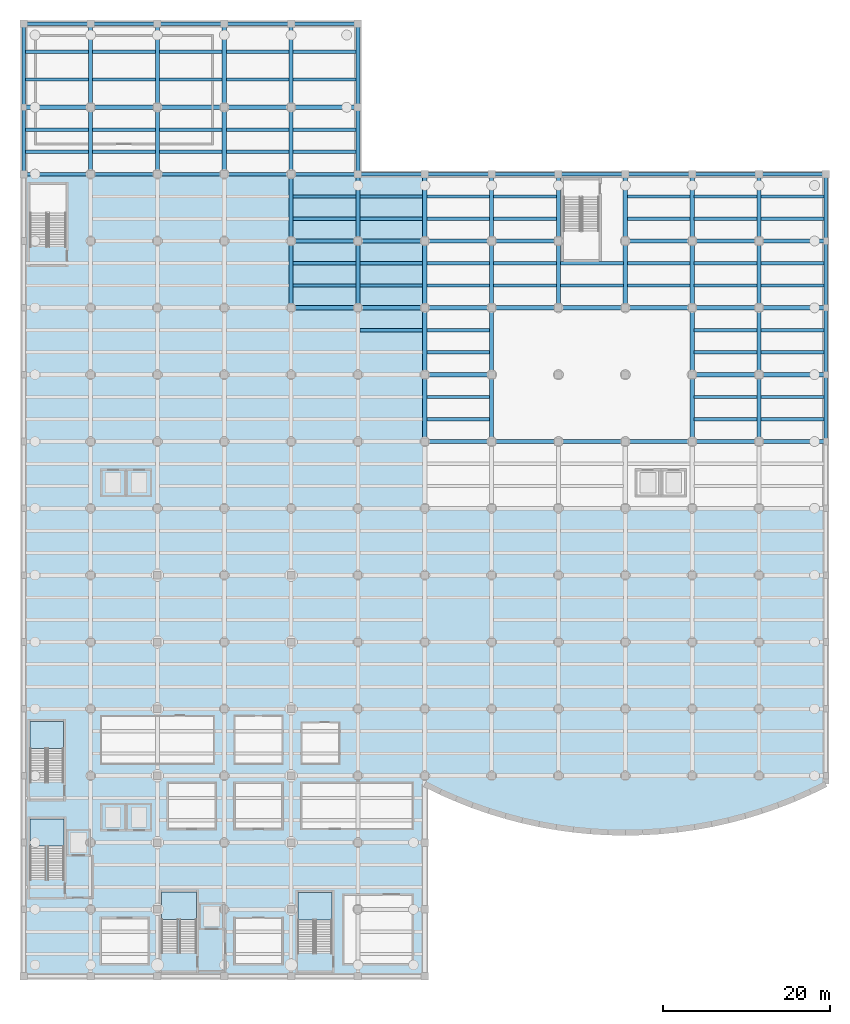
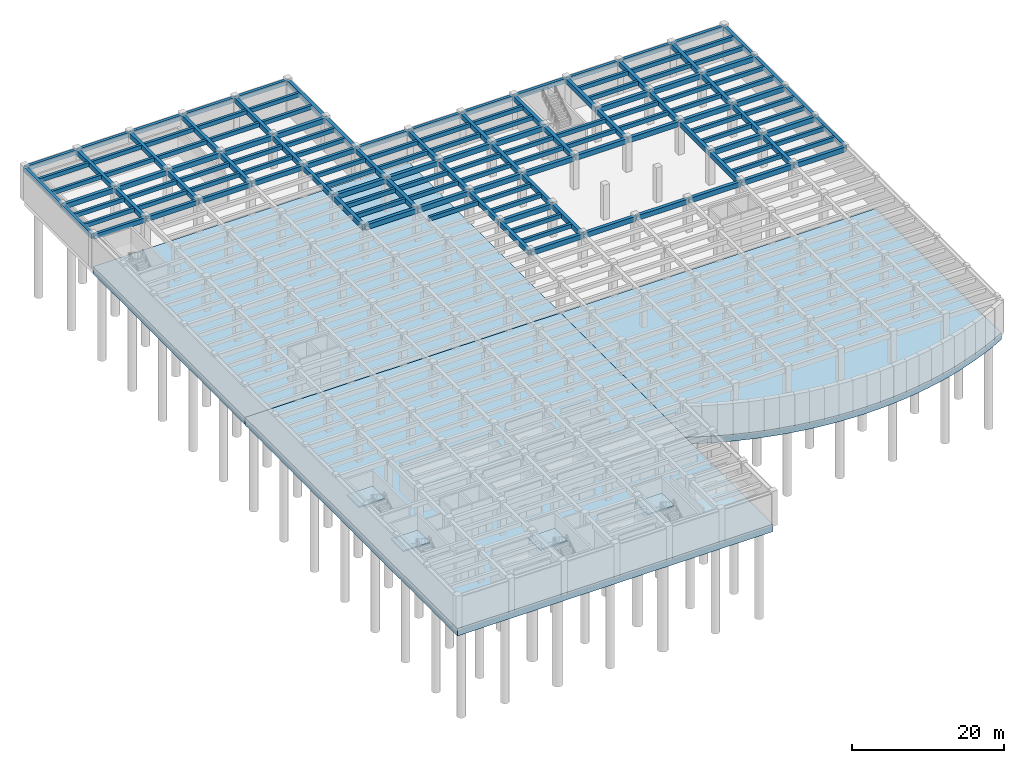
# One storey, part 4 of 18: 149 beams, 7 slabs, 4 elements without a shape of their own.
"""IFC4 building model written with IfcOpenShell, lengths in metres."""

from ifc_helpers import new_model, si_unit, direction, frame, origin, origin_2d, place, context, subcontext, project, spatial, polyline, rectangle, outline, extrude, material, layer, layer_set, material_profile, profile_set, type_object, element, aggregate, save


model = new_model("IFC4")

# Units and contexts
model_context = context("Model", 3, precision=1e-05, world=origin(), true_north=direction((0.0, 1.0)))
body_context = subcontext(model_context, "Body", "Model", "MODEL_VIEW")
ifc_project = project(units=[si_unit("LENGTHUNIT", "METRE"), si_unit("AREAUNIT", "SQUARE_METRE"), si_unit("VOLUMEUNIT", "CUBIC_METRE"), si_unit("PLANEANGLEUNIT", "RADIAN"), si_unit("MASSUNIT", "GRAM", prefix="KILO")], contexts=[model_context])

# Site, building, storey
site_placement = place(None, origin())
site = spatial("IfcSite", under=ifc_project, at=site_placement, CompositionType="ELEMENT")
building_placement = place(site_placement, origin())
building = spatial("IfcBuilding", under=site, at=building_placement, Name="Drelvath Fold Interchange", CompositionType="ELEMENT")
storey_placement = place(building_placement, frame((0.0, 0.0, -11.199951171875)))
storey = spatial("IfcBuildingStorey", under=building, at=storey_placement, Name="B2", CompositionType="ELEMENT", Elevation=-11.199951171875)

# Beams
ifc_material_1 = material(Name="Concrete f'c 45 MPa (6500 psi)", Category="concrete")
ifc_material_profile_1 = material_profile(ifc_material_1, rectangle(XDim=0.39990234375, YDim=0.64990234375, at=origin_2d()), Name="RC 400x650")
ifc_profile_set_1 = profile_set([ifc_material_profile_1], Name="Concrete f'c 45 MPa (6500 psi)")
beam_type_1 = type_object("IfcBeamType", Name="BM-RC400", PredefinedType="JOIST", material=ifc_profile_set_1)
for number, where, z_axis, x_axis, name in (
    (1, (4.222900390625, 101.6669921875, 4.9150390625), (1.0, 0.0, 0.0), (0.0, 1.0, 0.0), "B2 Secondary floor joist BM-RC400"),
    (2, (4.222900390625, 104.3330078125, 4.9150390625), (1.0, 0.0, 0.0), (0.0, 1.0, 0.0), "B2 Secondary floor joist BM-RC400"),
    (3, (4.222900390625, 110.3330078125, 4.9150390625), (1.0, 0.0, 0.0), (0.0, 1.0, 0.0), "B2 Secondary floor joist BM-RC400"),
    (4, (4.222900390625, 113.6669921875, 4.9150390625), (1.0, 0.0, 0.0), (0.0, 1.0, 0.0), "B2 Secondary floor joist BM-RC400"),
):
    element("IfcBeam", number, at=place(storey_placement, frame(where, z_axis=z_axis, x_axis=x_axis)), inside=storey, type_object=beam_type_1, Name=name, PredefinedType="JOIST", context=body_context, shape_type="SweptSolid", body=[
        extrude(rectangle(XDim=0.39990234375, YDim=0.64990234375, at=origin_2d()), origin(), (0.0, 0.0, 1.0), 7.529052734375),
    ])
for number, where, z_axis, x_axis, name in (
    (5, (12.248046875, 101.6669921875, 4.9150390625), (1.0, 0.0, 0.0), (0.0, 1.0, 0.0), "B2 Secondary floor joist BM-RC400"),
    (6, (12.248046875, 104.3330078125, 4.9150390625), (1.0, 0.0, 0.0), (0.0, 1.0, 0.0), "B2 Secondary floor joist BM-RC400"),
    (7, (12.248046875, 110.3330078125, 4.9150390625), (1.0, 0.0, 0.0), (0.0, 1.0, 0.0), "B2 Secondary floor joist BM-RC400"),
    (8, (12.248046875, 113.6669921875, 4.9150390625), (1.0, 0.0, 0.0), (0.0, 1.0, 0.0), "B2 Secondary floor joist BM-RC400"),
    (9, (20.248046875, 101.6669921875, 4.9150390625), (1.0, 0.0, 0.0), (0.0, 1.0, 0.0), "B2 Secondary floor joist BM-RC400"),
    (10, (20.248046875, 104.3330078125, 4.9150390625), (1.0, 0.0, 0.0), (0.0, 1.0, 0.0), "B2 Secondary floor joist BM-RC400"),
    (11, (20.248046875, 110.3330078125, 4.9150390625), (1.0, 0.0, 0.0), (0.0, 1.0, 0.0), "B2 Secondary floor joist BM-RC400"),
    (12, (20.248046875, 113.6669921875, 4.9150390625), (1.0, 0.0, 0.0), (0.0, 1.0, 0.0), "B2 Secondary floor joist BM-RC400"),
    (13, (28.248046875, 101.6669921875, 4.9150390625), (1.0, 0.0, 0.0), (0.0, 1.0, 0.0), "B2 Secondary floor joist BM-RC400"),
    (14, (28.248046875, 104.3330078125, 4.9150390625), (1.0, 0.0, 0.0), (0.0, 1.0, 0.0), "B2 Secondary floor joist BM-RC400"),
    (15, (28.248046875, 110.3330078125, 4.9150390625), (1.0, 0.0, 0.0), (0.0, 1.0, 0.0), "B2 Secondary floor joist BM-RC400"),
    (16, (28.248046875, 113.6669921875, 4.9150390625), (1.0, 0.0, 0.0), (0.0, 1.0, 0.0), "B2 Secondary floor joist BM-RC400"),
    (17, (36.248046875, 85.6669921875, 4.9150390625), (1.0, 0.0, 0.0), (0.0, 1.0, 0.0), "B2 Secondary floor joist BM-RC400"),
    (18, (36.248046875, 88.3330078125, 4.9150390625), (1.0, 0.0, 0.0), (0.0, 1.0, 0.0), "B2 Secondary floor joist BM-RC400"),
    (19, (36.248046875, 93.6669921875, 4.9150390625), (1.0, 0.0, 0.0), (0.0, 1.0, 0.0), "B2 Secondary floor joist BM-RC400"),
    (20, (36.248046875, 96.3330078125, 4.9150390625), (1.0, 0.0, 0.0), (0.0, 1.0, 0.0), "B2 Secondary floor joist BM-RC400"),
    (21, (36.248046875, 101.6669921875, 4.9150390625), (1.0, 0.0, 0.0), (0.0, 1.0, 0.0), "B2 Secondary floor joist BM-RC400"),
    (22, (36.248046875, 104.3330078125, 4.9150390625), (1.0, 0.0, 0.0), (0.0, 1.0, 0.0), "B2 Secondary floor joist BM-RC400"),
    (23, (36.248046875, 110.3330078125, 4.9150390625), (1.0, 0.0, 0.0), (0.0, 1.0, 0.0), "B2 Secondary floor joist BM-RC400"),
    (24, (36.248046875, 113.6669921875, 4.9150390625), (1.0, 0.0, 0.0), (0.0, 1.0, 0.0), "B2 Secondary floor joist BM-RC400"),
    (25, (44.248046875, 80.3330078125, 4.9150390625), (1.0, 0.0, 0.0), (0.0, 1.0, 0.0), "B2 Secondary floor joist BM-RC400"),
    (26, (44.248046875, 85.6669921875, 4.9150390625), (1.0, 0.0, 0.0), (0.0, 1.0, 0.0), "B2 Secondary floor joist BM-RC400"),
    (27, (44.248046875, 88.3330078125, 4.9150390625), (1.0, 0.0, 0.0), (0.0, 1.0, 0.0), "B2 Secondary floor joist BM-RC400"),
    (28, (44.248046875, 93.6669921875, 4.9150390625), (1.0, 0.0, 0.0), (0.0, 1.0, 0.0), "B2 Secondary floor joist BM-RC400"),
    (29, (44.248046875, 96.3330078125, 4.9150390625), (1.0, 0.0, 0.0), (0.0, 1.0, 0.0), "B2 Secondary floor joist BM-RC400"),
    (30, (52.248046875, 69.6669921875, 4.9150390625), (1.0, 0.0, 0.0), (0.0, 1.0, 0.0), "B2 Secondary floor joist BM-RC400"),
    (31, (52.248046875, 72.3330078125, 4.9150390625), (1.0, 0.0, 0.0), (0.0, 1.0, 0.0), "B2 Secondary floor joist BM-RC400"),
    (32, (52.248046875, 77.6669921875, 4.9150390625), (1.0, 0.0, 0.0), (0.0, 1.0, 0.0), "B2 Secondary floor joist BM-RC400"),
    (33, (52.248046875, 80.3330078125, 4.9150390625), (1.0, 0.0, 0.0), (0.0, 1.0, 0.0), "B2 Secondary floor joist BM-RC400"),
    (34, (52.248046875, 85.6669921875, 4.9150390625), (1.0, 0.0, 0.0), (0.0, 1.0, 0.0), "B2 Secondary floor joist BM-RC400"),
    (35, (52.248046875, 88.3330078125, 4.9150390625), (1.0, 0.0, 0.0), (0.0, 1.0, 0.0), "B2 Secondary floor joist BM-RC400"),
    (36, (52.248046875, 93.6669921875, 4.9150390625), (1.0, 0.0, 0.0), (0.0, 1.0, 0.0), "B2 Secondary floor joist BM-RC400"),
    (37, (52.248046875, 96.3330078125, 4.9150390625), (1.0, 0.0, 0.0), (0.0, 1.0, 0.0), "B2 Secondary floor joist BM-RC400"),
    (38, (60.248046875, 85.6669921875, 4.9150390625), (1.0, 0.0, 0.0), (0.0, 1.0, 0.0), "B2 Secondary floor joist BM-RC400"),
    (39, (60.248046875, 88.3330078125, 4.9150390625), (1.0, 0.0, 0.0), (0.0, 1.0, 0.0), "B2 Secondary floor joist BM-RC400"),
    (40, (60.248046875, 93.6669921875, 4.9150390625), (1.0, 0.0, 0.0), (0.0, 1.0, 0.0), "B2 Secondary floor joist BM-RC400"),
    (41, (60.248046875, 96.3330078125, 4.9150390625), (1.0, 0.0, 0.0), (0.0, 1.0, 0.0), "B2 Secondary floor joist BM-RC400"),
    (42, (68.248046875, 85.6669921875, 4.9150390625), (1.0, 0.0, 0.0), (0.0, 1.0, 0.0), "B2 Secondary floor joist BM-RC400"),
    (43, (68.248046875, 88.3330078125, 4.9150390625), (1.0, 0.0, 0.0), (0.0, 1.0, 0.0), "B2 Secondary floor joist BM-RC400"),
    (44, (76.248046875, 85.6669921875, 4.9150390625), (1.0, 0.0, 0.0), (0.0, 1.0, 0.0), "B2 Secondary floor joist BM-RC400"),
    (45, (76.248046875, 88.3330078125, 4.9150390625), (1.0, 0.0, 0.0), (0.0, 1.0, 0.0), "B2 Secondary floor joist BM-RC400"),
    (46, (76.248046875, 93.6669921875, 4.9150390625), (1.0, 0.0, 0.0), (0.0, 1.0, 0.0), "B2 Secondary floor joist BM-RC400"),
    (47, (76.248046875, 96.3330078125, 4.9150390625), (1.0, 0.0, 0.0), (0.0, 1.0, 0.0), "B2 Secondary floor joist BM-RC400"),
    (48, (84.248046875, 69.6669921875, 4.9150390625), (1.0, 0.0, 0.0), (0.0, 1.0, 0.0), "B2 Secondary floor joist BM-RC400"),
    (49, (84.248046875, 72.3330078125, 4.9150390625), (1.0, 0.0, 0.0), (0.0, 1.0, 0.0), "B2 Secondary floor joist BM-RC400"),
    (50, (84.248046875, 77.6669921875, 4.9150390625), (1.0, 0.0, 0.0), (0.0, 1.0, 0.0), "B2 Secondary floor joist BM-RC400"),
    (51, (84.248046875, 80.3330078125, 4.9150390625), (1.0, 0.0, 0.0), (0.0, 1.0, 0.0), "B2 Secondary floor joist BM-RC400"),
    (52, (84.248046875, 85.6669921875, 4.9150390625), (1.0, 0.0, 0.0), (0.0, 1.0, 0.0), "B2 Secondary floor joist BM-RC400"),
    (53, (84.248046875, 88.3330078125, 4.9150390625), (1.0, 0.0, 0.0), (0.0, 1.0, 0.0), "B2 Secondary floor joist BM-RC400"),
    (54, (84.248046875, 93.6669921875, 4.9150390625), (1.0, 0.0, 0.0), (0.0, 1.0, 0.0), "B2 Secondary floor joist BM-RC400"),
    (55, (84.248046875, 96.3330078125, 4.9150390625), (1.0, 0.0, 0.0), (0.0, 1.0, 0.0), "B2 Secondary floor joist BM-RC400"),
):
    element("IfcBeam", number, at=place(storey_placement, frame(where, z_axis=z_axis, x_axis=x_axis)), inside=storey, type_object=beam_type_1, Name=name, PredefinedType="JOIST", context=body_context, shape_type="SweptSolid", body=[
        extrude(rectangle(XDim=0.39990234375, YDim=0.64990234375, at=origin_2d()), origin(), (0.0, 0.0, 1.0), 7.50390625),
    ])
for number, where, z_axis, x_axis, name in (
    (56, (92.248046875, 69.6669921875, 4.9150390625), (1.0, 0.0, 0.0), (0.0, 1.0, 0.0), "B2 Secondary floor joist BM-RC400"),
    (57, (92.248046875, 72.3330078125, 4.9150390625), (1.0, 0.0, 0.0), (0.0, 1.0, 0.0), "B2 Secondary floor joist BM-RC400"),
    (58, (92.248046875, 77.6669921875, 4.9150390625), (1.0, 0.0, 0.0), (0.0, 1.0, 0.0), "B2 Secondary floor joist BM-RC400"),
    (59, (92.248046875, 80.3330078125, 4.9150390625), (1.0, 0.0, 0.0), (0.0, 1.0, 0.0), "B2 Secondary floor joist BM-RC400"),
    (60, (92.248046875, 85.6669921875, 4.9150390625), (1.0, 0.0, 0.0), (0.0, 1.0, 0.0), "B2 Secondary floor joist BM-RC400"),
    (61, (92.248046875, 88.3330078125, 4.9150390625), (1.0, 0.0, 0.0), (0.0, 1.0, 0.0), "B2 Secondary floor joist BM-RC400"),
    (62, (92.248046875, 93.6669921875, 4.9150390625), (1.0, 0.0, 0.0), (0.0, 1.0, 0.0), "B2 Secondary floor joist BM-RC400"),
    (63, (92.248046875, 96.3330078125, 4.9150390625), (1.0, 0.0, 0.0), (0.0, 1.0, 0.0), "B2 Secondary floor joist BM-RC400"),
):
    element("IfcBeam", number, at=place(storey_placement, frame(where, z_axis=z_axis, x_axis=x_axis)), inside=storey, type_object=beam_type_1, Name=name, PredefinedType="JOIST", context=body_context, shape_type="SweptSolid", body=[
        extrude(rectangle(XDim=0.39990234375, YDim=0.64990234375, at=origin_2d()), origin(), (0.0, 0.0, 1.0), 7.529052734375),
    ])
ifc_material_profile_2 = material_profile(ifc_material_1, rectangle(XDim=0.449951171875, YDim=0.75, at=origin_2d()), Name="RC 450x750")
ifc_profile_set_2 = profile_set([ifc_material_profile_2], Name="Concrete f'c 45 MPa (6500 psi)")
beam_type_2 = type_object("IfcBeamType", Name="BM-RC450", PredefinedType="SPANDREL", material=ifc_profile_set_2)
for number, where, z_axis, x_axis, name in (
    (64, (4.06005859375, 99.0, 4.864990234375), (1.0, 0.0, 0.0), (0.0, 1.0, 0.0), "B2 Primary X girder BM-RC450"),
    (65, (12.06005859375, 99.0, 4.864990234375), (1.0, 0.0, 0.0), (0.0, 1.0, 0.0), "B2 Primary X girder BM-RC450"),
    (66, (20.06005859375, 99.0, 4.864990234375), (1.0, 0.0, 0.0), (0.0, 1.0, 0.0), "B2 Primary X girder BM-RC450"),
    (67, (28.06005859375, 99.0, 4.864990234375), (1.0, 0.0, 0.0), (0.0, 1.0, 0.0), "B2 Primary X girder BM-RC450"),
    (68, (36.06005859375, 99.0, 4.864990234375), (1.0, 0.0, 0.0), (0.0, 1.0, 0.0), "B2 Primary X girder BM-RC450"),
    (69, (44.06005859375, 99.0, 4.864990234375), (1.0, 0.0, 0.0), (0.0, 1.0, 0.0), "B2 Primary X girder BM-RC450"),
    (70, (52.06005859375, 99.0, 4.864990234375), (1.0, 0.0, 0.0), (0.0, 1.0, 0.0), "B2 Primary X girder BM-RC450"),
    (71, (60.06005859375, 99.0, 4.864990234375), (1.0, 0.0, 0.0), (0.0, 1.0, 0.0), "B2 Primary X girder BM-RC450"),
    (72, (68.06005859375, 99.0, 4.864990234375), (1.0, 0.0, 0.0), (0.0, 1.0, 0.0), "B2 Primary X girder BM-RC450"),
    (73, (76.06005859375, 99.0, 4.864990234375), (1.0, 0.0, 0.0), (0.0, 1.0, 0.0), "B2 Primary X girder BM-RC450"),
    (74, (84.06005859375, 99.0, 4.864990234375), (1.0, 0.0, 0.0), (0.0, 1.0, 0.0), "B2 Primary X girder BM-RC450"),
    (75, (92.06005859375, 99.0, 4.864990234375), (1.0, 0.0, 0.0), (0.0, 1.0, 0.0), "B2 Primary X girder BM-RC450"),
    (76, (4.06005859375, 117.0, 4.864990234375), (1.0, 0.0, 0.0), (0.0, 1.0, 0.0), "B2 Primary X girder BM-RC450"),
    (77, (12.06005859375, 117.0, 4.864990234375), (1.0, 0.0, 0.0), (0.0, 1.0, 0.0), "B2 Primary X girder BM-RC450"),
    (78, (20.06005859375, 117.0, 4.864990234375), (1.0, 0.0, 0.0), (0.0, 1.0, 0.0), "B2 Primary X girder BM-RC450"),
    (79, (28.06005859375, 117.0, 4.864990234375), (1.0, 0.0, 0.0), (0.0, 1.0, 0.0), "B2 Primary X girder BM-RC450"),
    (80, (36.06005859375, 117.0, 4.864990234375), (1.0, 0.0, 0.0), (0.0, 1.0, 0.0), "B2 Primary X girder BM-RC450"),
    (81, (4.0, 99.06005859375, 4.864990234375), (0.0, 1.0, 0.0), (-1.0, 0.0, 0.0), "B2 Primary Y girder BM-RC450"),
):
    element("IfcBeam", number, at=place(storey_placement, frame(where, z_axis=z_axis, x_axis=x_axis)), inside=storey, type_object=beam_type_2, Name=name, PredefinedType="SPANDREL", context=body_context, shape_type="SweptSolid", body=[
        extrude(rectangle(XDim=0.449951171875, YDim=0.75, at=origin_2d()), origin(), (0.0, 0.0, 1.0), 7.8798828125),
    ])
beam_1_placement = place(storey_placement, frame((4.0, 107.06005859375, 4.864990234375), z_axis=(0.0, 1.0, 0.0), x_axis=(-1.0, 0.0, 0.0)))
element("IfcBeam", 82, at=beam_1_placement, inside=storey, type_object=beam_type_2, Name="B2 Primary Y girder BM-RC450", PredefinedType="SPANDREL", context=body_context, shape_type="SweptSolid", body=[
    extrude(rectangle(XDim=0.449951171875, YDim=0.75, at=origin_2d()), origin(), (0.0, 0.0, 1.0), 9.8798828125),
])
for number, where, z_axis, x_axis, name in (
    (83, (100.0, 67.06005859375, 4.864990234375), (0.0, 1.0, 0.0), (-1.0, 0.0, 0.0), "B2 Primary Y girder BM-RC450"),
    (84, (100.0, 75.06005859375, 4.864990234375), (0.0, 1.0, 0.0), (-1.0, 0.0, 0.0), "B2 Primary Y girder BM-RC450"),
    (85, (100.0, 83.06005859375, 4.864990234375), (0.0, 1.0, 0.0), (-1.0, 0.0, 0.0), "B2 Primary Y girder BM-RC450"),
    (86, (100.0, 91.06005859375, 4.864990234375), (0.0, 1.0, 0.0), (-1.0, 0.0, 0.0), "B2 Primary Y girder BM-RC450"),
):
    element("IfcBeam", number, at=place(storey_placement, frame(where, z_axis=z_axis, x_axis=x_axis)), inside=storey, type_object=beam_type_2, Name=name, PredefinedType="SPANDREL", context=body_context, shape_type="SweptSolid", body=[
        extrude(rectangle(XDim=0.449951171875, YDim=0.75, at=origin_2d()), origin(), (0.0, 0.0, 1.0), 7.8798828125),
    ])
ifc_material_profile_3 = material_profile(ifc_material_1, rectangle(XDim=0.5, YDim=0.800048828125, at=origin_2d()), Name="RC 500x800")
ifc_profile_set_3 = profile_set([ifc_material_profile_3], Name="Concrete f'c 45 MPa (6500 psi)")
beam_type_3 = type_object("IfcBeamType", Name="BM-RC500", PredefinedType="BEAM", material=ifc_profile_set_3)
for number, where, z_axis, x_axis, name in (
    (87, (52.06005859375, 67.0, 4.83984375), (1.0, 0.0, 0.0), (0.0, 1.0, 0.0), "B2 Primary X girder BM-RC500"),
    (88, (60.06005859375, 67.0, 4.83984375), (1.0, 0.0, 0.0), (0.0, 1.0, 0.0), "B2 Primary X girder BM-RC500"),
    (89, (68.06005859375, 67.0, 4.83984375), (1.0, 0.0, 0.0), (0.0, 1.0, 0.0), "B2 Primary X girder BM-RC500"),
    (90, (76.06005859375, 67.0, 4.83984375), (1.0, 0.0, 0.0), (0.0, 1.0, 0.0), "B2 Primary X girder BM-RC500"),
    (91, (84.06005859375, 67.0, 4.83984375), (1.0, 0.0, 0.0), (0.0, 1.0, 0.0), "B2 Primary X girder BM-RC500"),
    (92, (92.06005859375, 67.0, 4.83984375), (1.0, 0.0, 0.0), (0.0, 1.0, 0.0), "B2 Primary X girder BM-RC500"),
    (93, (52.06005859375, 75.0, 4.83984375), (1.0, 0.0, 0.0), (0.0, 1.0, 0.0), "B2 Primary X girder BM-RC500"),
    (94, (84.06005859375, 75.0, 4.83984375), (1.0, 0.0, 0.0), (0.0, 1.0, 0.0), "B2 Primary X girder BM-RC500"),
    (95, (92.06005859375, 75.0, 4.83984375), (1.0, 0.0, 0.0), (0.0, 1.0, 0.0), "B2 Primary X girder BM-RC500"),
    (96, (36.06005859375, 83.0, 4.83984375), (1.0, 0.0, 0.0), (0.0, 1.0, 0.0), "B2 Primary X girder BM-RC500"),
    (97, (44.06005859375, 83.0, 4.83984375), (1.0, 0.0, 0.0), (0.0, 1.0, 0.0), "B2 Primary X girder BM-RC500"),
    (98, (52.06005859375, 83.0, 4.83984375), (1.0, 0.0, 0.0), (0.0, 1.0, 0.0), "B2 Primary X girder BM-RC500"),
    (99, (60.06005859375, 83.0, 4.83984375), (1.0, 0.0, 0.0), (0.0, 1.0, 0.0), "B2 Primary X girder BM-RC500"),
    (100, (68.06005859375, 83.0, 4.83984375), (1.0, 0.0, 0.0), (0.0, 1.0, 0.0), "B2 Primary X girder BM-RC500"),
    (101, (76.06005859375, 83.0, 4.83984375), (1.0, 0.0, 0.0), (0.0, 1.0, 0.0), "B2 Primary X girder BM-RC500"),
    (102, (84.06005859375, 83.0, 4.83984375), (1.0, 0.0, 0.0), (0.0, 1.0, 0.0), "B2 Primary X girder BM-RC500"),
    (103, (92.06005859375, 83.0, 4.83984375), (1.0, 0.0, 0.0), (0.0, 1.0, 0.0), "B2 Primary X girder BM-RC500"),
    (104, (36.06005859375, 91.0, 4.83984375), (1.0, 0.0, 0.0), (0.0, 1.0, 0.0), "B2 Primary X girder BM-RC500"),
    (105, (44.06005859375, 91.0, 4.83984375), (1.0, 0.0, 0.0), (0.0, 1.0, 0.0), "B2 Primary X girder BM-RC500"),
    (106, (52.06005859375, 91.0, 4.83984375), (1.0, 0.0, 0.0), (0.0, 1.0, 0.0), "B2 Primary X girder BM-RC500"),
    (107, (60.06005859375, 91.0, 4.83984375), (1.0, 0.0, 0.0), (0.0, 1.0, 0.0), "B2 Primary X girder BM-RC500"),
    (108, (76.06005859375, 91.0, 4.83984375), (1.0, 0.0, 0.0), (0.0, 1.0, 0.0), "B2 Primary X girder BM-RC500"),
    (109, (84.06005859375, 91.0, 4.83984375), (1.0, 0.0, 0.0), (0.0, 1.0, 0.0), "B2 Primary X girder BM-RC500"),
    (110, (92.06005859375, 91.0, 4.83984375), (1.0, 0.0, 0.0), (0.0, 1.0, 0.0), "B2 Primary X girder BM-RC500"),
    (111, (4.06005859375, 107.0, 4.83984375), (1.0, 0.0, 0.0), (0.0, 1.0, 0.0), "B2 Primary X girder BM-RC500"),
    (112, (12.06005859375, 107.0, 4.83984375), (1.0, 0.0, 0.0), (0.0, 1.0, 0.0), "B2 Primary X girder BM-RC500"),
    (113, (20.06005859375, 107.0, 4.83984375), (1.0, 0.0, 0.0), (0.0, 1.0, 0.0), "B2 Primary X girder BM-RC500"),
    (114, (28.06005859375, 107.0, 4.83984375), (1.0, 0.0, 0.0), (0.0, 1.0, 0.0), "B2 Primary X girder BM-RC500"),
    (115, (36.06005859375, 107.0, 4.83984375), (1.0, 0.0, 0.0), (0.0, 1.0, 0.0), "B2 Primary X girder BM-RC500"),
    (116, (12.0, 99.06005859375, 4.83984375), (0.0, 1.0, 0.0), (-1.0, 0.0, 0.0), "B2 Primary Y girder BM-RC500"),
):
    element("IfcBeam", number, at=place(storey_placement, frame(where, z_axis=z_axis, x_axis=x_axis)), inside=storey, type_object=beam_type_3, Name=name, PredefinedType="BEAM", context=body_context, shape_type="SweptSolid", body=[
        extrude(rectangle(XDim=0.5, YDim=0.800048828125, at=origin_2d()), origin(), (0.0, 0.0, 1.0), 7.8798828125),
    ])
beam_2_placement = place(storey_placement, frame((12.0, 107.06005859375, 4.83984375), z_axis=(0.0, 1.0, 0.0), x_axis=(-1.0, 0.0, 0.0)))
element("IfcBeam", 117, at=beam_2_placement, inside=storey, type_object=beam_type_3, Name="B2 Primary Y girder BM-RC500", PredefinedType="BEAM", context=body_context, shape_type="SweptSolid", body=[
    extrude(rectangle(XDim=0.5, YDim=0.800048828125, at=origin_2d()), origin(), (0.0, 0.0, 1.0), 9.8798828125),
])
beam_3_placement = place(storey_placement, frame((20.0, 99.06005859375, 4.83984375), z_axis=(0.0, 1.0, 0.0), x_axis=(-1.0, 0.0, 0.0)))
element("IfcBeam", 118, at=beam_3_placement, inside=storey, type_object=beam_type_3, Name="B2 Primary Y girder BM-RC500", PredefinedType="BEAM", context=body_context, shape_type="SweptSolid", body=[
    extrude(rectangle(XDim=0.5, YDim=0.800048828125, at=origin_2d()), origin(), (0.0, 0.0, 1.0), 7.8798828125),
])
beam_4_placement = place(storey_placement, frame((20.0, 107.06005859375, 4.83984375), z_axis=(0.0, 1.0, 0.0), x_axis=(-1.0, 0.0, 0.0)))
element("IfcBeam", 119, at=beam_4_placement, inside=storey, type_object=beam_type_3, Name="B2 Primary Y girder BM-RC500", PredefinedType="BEAM", context=body_context, shape_type="SweptSolid", body=[
    extrude(rectangle(XDim=0.5, YDim=0.800048828125, at=origin_2d()), origin(), (0.0, 0.0, 1.0), 9.8798828125),
])
beam_5_placement = place(storey_placement, frame((28.0, 99.06005859375, 4.83984375), z_axis=(0.0, 1.0, 0.0), x_axis=(-1.0, 0.0, 0.0)))
element("IfcBeam", 120, at=beam_5_placement, inside=storey, type_object=beam_type_3, Name="B2 Primary Y girder BM-RC500", PredefinedType="BEAM", context=body_context, shape_type="SweptSolid", body=[
    extrude(rectangle(XDim=0.5, YDim=0.800048828125, at=origin_2d()), origin(), (0.0, 0.0, 1.0), 7.8798828125),
])
beam_6_placement = place(storey_placement, frame((28.0, 107.06005859375, 4.83984375), z_axis=(0.0, 1.0, 0.0), x_axis=(-1.0, 0.0, 0.0)))
element("IfcBeam", 121, at=beam_6_placement, inside=storey, type_object=beam_type_3, Name="B2 Primary Y girder BM-RC500", PredefinedType="BEAM", context=body_context, shape_type="SweptSolid", body=[
    extrude(rectangle(XDim=0.5, YDim=0.800048828125, at=origin_2d()), origin(), (0.0, 0.0, 1.0), 9.8798828125),
])
for number, where, z_axis, x_axis, name in (
    (122, (36.0, 83.06005859375, 4.83984375), (0.0, 1.0, 0.0), (-1.0, 0.0, 0.0), "B2 Primary Y girder BM-RC500"),
    (123, (36.0, 91.06005859375, 4.83984375), (0.0, 1.0, 0.0), (-1.0, 0.0, 0.0), "B2 Primary Y girder BM-RC500"),
    (124, (36.0, 99.06005859375, 4.83984375), (0.0, 1.0, 0.0), (-1.0, 0.0, 0.0), "B2 Primary Y girder BM-RC500"),
):
    element("IfcBeam", number, at=place(storey_placement, frame(where, z_axis=z_axis, x_axis=x_axis)), inside=storey, type_object=beam_type_3, Name=name, PredefinedType="BEAM", context=body_context, shape_type="SweptSolid", body=[
        extrude(rectangle(XDim=0.5, YDim=0.800048828125, at=origin_2d()), origin(), (0.0, 0.0, 1.0), 7.8798828125),
    ])
beam_7_placement = place(storey_placement, frame((36.0, 107.06005859375, 4.83984375), z_axis=(0.0, 1.0, 0.0), x_axis=(-1.0, 0.0, 0.0)))
element("IfcBeam", 125, at=beam_7_placement, inside=storey, type_object=beam_type_3, Name="B2 Primary Y girder BM-RC500", PredefinedType="BEAM", context=body_context, shape_type="SweptSolid", body=[
    extrude(rectangle(XDim=0.5, YDim=0.800048828125, at=origin_2d()), origin(), (0.0, 0.0, 1.0), 9.8798828125),
])
for number, where, z_axis, x_axis, name in (
    (126, (44.0, 83.06005859375, 4.83984375), (0.0, 1.0, 0.0), (-1.0, 0.0, 0.0), "B2 Primary Y girder BM-RC500"),
    (127, (44.0, 91.06005859375, 4.83984375), (0.0, 1.0, 0.0), (-1.0, 0.0, 0.0), "B2 Primary Y girder BM-RC500"),
    (128, (44.0, 99.06005859375, 4.83984375), (0.0, 1.0, 0.0), (-1.0, 0.0, 0.0), "B2 Primary Y girder BM-RC500"),
):
    element("IfcBeam", number, at=place(storey_placement, frame(where, z_axis=z_axis, x_axis=x_axis)), inside=storey, type_object=beam_type_3, Name=name, PredefinedType="BEAM", context=body_context, shape_type="SweptSolid", body=[
        extrude(rectangle(XDim=0.5, YDim=0.800048828125, at=origin_2d()), origin(), (0.0, 0.0, 1.0), 7.8798828125),
    ])
beam_8_placement = place(storey_placement, frame((44.0, 107.06005859375, 4.83984375), z_axis=(0.0, 1.0, 0.0), x_axis=(-1.0, 0.0, 0.0)))
element("IfcBeam", 129, at=beam_8_placement, inside=storey, type_object=beam_type_3, Name="B2 Primary Y girder BM-RC500", PredefinedType="BEAM", context=body_context, shape_type="SweptSolid", body=[
    extrude(rectangle(XDim=0.5, YDim=0.800048828125, at=origin_2d()), origin(), (0.0, 0.0, 1.0), 9.8798828125),
])
for number, where, z_axis, x_axis, name in (
    (130, (52.0, 67.06005859375, 4.83984375), (0.0, 1.0, 0.0), (-1.0, 0.0, 0.0), "B2 Primary Y girder BM-RC500"),
    (131, (52.0, 75.06005859375, 4.83984375), (0.0, 1.0, 0.0), (-1.0, 0.0, 0.0), "B2 Primary Y girder BM-RC500"),
    (132, (52.0, 83.06005859375, 4.83984375), (0.0, 1.0, 0.0), (-1.0, 0.0, 0.0), "B2 Primary Y girder BM-RC500"),
    (133, (52.0, 91.06005859375, 4.83984375), (0.0, 1.0, 0.0), (-1.0, 0.0, 0.0), "B2 Primary Y girder BM-RC500"),
    (134, (60.0, 67.06005859375, 4.83984375), (0.0, 1.0, 0.0), (-1.0, 0.0, 0.0), "B2 Primary Y girder BM-RC500"),
    (135, (60.0, 75.06005859375, 4.83984375), (0.0, 1.0, 0.0), (-1.0, 0.0, 0.0), "B2 Primary Y girder BM-RC500"),
    (136, (60.0, 83.06005859375, 4.83984375), (0.0, 1.0, 0.0), (-1.0, 0.0, 0.0), "B2 Primary Y girder BM-RC500"),
    (137, (60.0, 91.06005859375, 4.83984375), (0.0, 1.0, 0.0), (-1.0, 0.0, 0.0), "B2 Primary Y girder BM-RC500"),
    (138, (68.0, 83.06005859375, 4.83984375), (0.0, 1.0, 0.0), (-1.0, 0.0, 0.0), "B2 Primary Y girder BM-RC500"),
    (139, (68.0, 91.06005859375, 4.83984375), (0.0, 1.0, 0.0), (-1.0, 0.0, 0.0), "B2 Primary Y girder BM-RC500"),
    (140, (76.0, 83.06005859375, 4.83984375), (0.0, 1.0, 0.0), (-1.0, 0.0, 0.0), "B2 Primary Y girder BM-RC500"),
    (141, (76.0, 91.06005859375, 4.83984375), (0.0, 1.0, 0.0), (-1.0, 0.0, 0.0), "B2 Primary Y girder BM-RC500"),
    (142, (84.0, 67.06005859375, 4.83984375), (0.0, 1.0, 0.0), (-1.0, 0.0, 0.0), "B2 Primary Y girder BM-RC500"),
    (143, (84.0, 75.06005859375, 4.83984375), (0.0, 1.0, 0.0), (-1.0, 0.0, 0.0), "B2 Primary Y girder BM-RC500"),
    (144, (84.0, 83.06005859375, 4.83984375), (0.0, 1.0, 0.0), (-1.0, 0.0, 0.0), "B2 Primary Y girder BM-RC500"),
    (145, (84.0, 91.06005859375, 4.83984375), (0.0, 1.0, 0.0), (-1.0, 0.0, 0.0), "B2 Primary Y girder BM-RC500"),
    (146, (92.0, 67.06005859375, 4.83984375), (0.0, 1.0, 0.0), (-1.0, 0.0, 0.0), "B2 Primary Y girder BM-RC500"),
    (147, (92.0, 75.06005859375, 4.83984375), (0.0, 1.0, 0.0), (-1.0, 0.0, 0.0), "B2 Primary Y girder BM-RC500"),
    (148, (92.0, 83.06005859375, 4.83984375), (0.0, 1.0, 0.0), (-1.0, 0.0, 0.0), "B2 Primary Y girder BM-RC500"),
    (149, (92.0, 91.06005859375, 4.83984375), (0.0, 1.0, 0.0), (-1.0, 0.0, 0.0), "B2 Primary Y girder BM-RC500"),
):
    element("IfcBeam", number, at=place(storey_placement, frame(where, z_axis=z_axis, x_axis=x_axis)), inside=storey, type_object=beam_type_3, Name=name, PredefinedType="BEAM", context=body_context, shape_type="SweptSolid", body=[
        extrude(rectangle(XDim=0.5, YDim=0.800048828125, at=origin_2d()), origin(), (0.0, 0.0, 1.0), 7.8798828125),
    ])

# Slabs
ifc_layer_1 = layer(ifc_material_1, 1.199951171875, Name="Concrete f'c 45 MPa (6500 psi)")
ifc_layer_set_1 = layer_set([ifc_layer_1], Name="Concrete f'c 45 MPa (6500 psi)")
slab_type_1 = type_object("IfcSlabType", Name="BS-01", PredefinedType="BASESLAB", material=ifc_layer_set_1)
slab_1_placement = place(storey_placement, frame((0.0, 0.0, -1.199951171875)))
element("IfcSlab", 150, at=slab_1_placement, inside=storey, type_object=slab_type_1, Name="B2 structural slab SL-B2-V5", PredefinedType="BASESLAB", context=body_context, shape_type="SweptSolid", body=[
    extrude(outline(polyline([(4.0, 3.0), (52.0, 3.0), (52.0, 59.0), (4.0, 59.0), (4.0, 3.0)])), origin(), (0.0, 0.0, 1.0), 1.199951171875),
])
ifc_layer_2 = layer(ifc_material_1, 1.139892578125, Name="Concrete f'c 45 MPa (6500 psi)")
ifc_layer_set_2 = layer_set([ifc_layer_2], Name="Concrete f'c 45 MPa (6500 psi)")
slab_type_2 = type_object("IfcSlabType", Name="BS-02", PredefinedType="BASESLAB", material=ifc_layer_set_2)
slab_2_placement = place(storey_placement, frame((0.0, 0.0, -1.14013671875)))
element("IfcSlab", 151, at=slab_2_placement, inside=storey, type_object=slab_type_2, Name="B2 structural slab SL-B2-V1W", PredefinedType="BASESLAB", context=body_context, shape_type="SweptSolid", body=[
    extrude(outline(polyline([(4.0, 59.0), (52.0, 59.0), (52.0, 99.0), (4.0, 99.0), (4.0, 59.0)])), origin(), (0.0, 0.0, 1.0), 1.14013671875),
])
ifc_layer_3 = layer(ifc_material_1, 1.080078125, Name="Concrete f'c 45 MPa (6500 psi)")
ifc_layer_set_3 = layer_set([ifc_layer_3], Name="Concrete f'c 45 MPa (6500 psi)")
slab_type_3 = type_object("IfcSlabType", Name="BS-03", PredefinedType="BASESLAB", material=ifc_layer_set_3)
slab_3_placement = place(storey_placement, frame((0.0, 0.0, -1.080078125)))
element("IfcSlab", 152, at=slab_3_placement, inside=storey, type_object=slab_type_3, Name="B2 structural slab SL-B2-V2", PredefinedType="BASESLAB", context=body_context, shape_type="SweptSolid", body=[
    extrude(outline(polyline([(52.0, 26.0), (53.865966796875, 25.0869140625), (55.76611328125, 24.2490234375), (57.697998046875, 23.486083984375), (59.658935546875, 22.801025390625), (61.64501953125, 22.194091796875), (63.654052734375, 21.6650390625), (65.681884765625, 21.217041015625), (67.72607421875, 20.84912109375), (69.782958984375, 20.56201171875), (71.85009765625, 20.35693359375), (73.923095703125, 20.23388671875), (76.0, 20.193115234375), (78.076904296875, 20.23388671875), (80.14990234375, 20.35693359375), (82.217041015625, 20.56201171875), (84.27392578125, 20.84912109375), (86.318115234375, 21.217041015625), (88.345947265625, 21.6650390625), (90.35498046875, 22.194091796875), (92.341064453125, 22.801025390625), (94.302001953125, 23.486083984375), (96.23388671875, 24.2490234375), (98.134033203125, 25.0869140625), (100.0, 26.0), (100.0, 59.0), (52.0, 59.0), (52.0, 26.0)])), origin(), (0.0, 0.0, 1.0), 1.080078125),
])

# Stair, slab
ifc_material_2 = material(Name="Concrete f'c 35 MPa (5000 psi)", Category="concrete")
stair_type_1 = type_object("IfcStairType", Name="STR-01", PredefinedType="HALF_TURN_STAIR", material=ifc_material_2)
stair_1_placement = place(storey_placement, origin())
stair_1 = element("IfcStair", 153, at=stair_1_placement, inside=storey, type_object=stair_type_1, Name="B2 Protected Exit Stair ST-01", PredefinedType="HALF_TURN_STAIR")
ifc_layer_4 = layer(ifc_material_2, 0.199951171875, Name="Concrete f'c 35 MPa (5000 psi)")
ifc_layer_set_4 = layer_set([ifc_layer_4], Name="Concrete f'c 35 MPa (5000 psi)")
slab_type_4 = type_object("IfcSlabType", Name="SL-LND200", PredefinedType="LANDING", material=ifc_layer_set_4)
slab_4_placement = place(storey_placement, frame((0.0, 0.0, 2.599853515625)))
slab_4 = element("IfcSlab", 154, at=slab_4_placement, type_object=slab_type_4, Name="ST-01 landing 1", PredefinedType="LANDING", context=body_context, shape_type="SweptSolid", body=[
    extrude(outline(polyline([(8.81005859375, 18.56005859375), (8.81005859375, 21.800048828125), (4.75, 21.800048828125), (4.75, 18.56005859375), (8.81005859375, 18.56005859375)])), origin(), (0.0, 0.0, 1.0), 0.2001953125),
])
aggregate(stair_1, [slab_4])

stair_type_2 = type_object("IfcStairType", Name="STR-02", PredefinedType="HALF_TURN_STAIR", material=ifc_material_2)
stair_2_placement = place(storey_placement, origin())
stair_2 = element("IfcStair", 155, at=stair_2_placement, inside=storey, type_object=stair_type_2, Name="B2 Protected Exit Stair ST-02", PredefinedType="HALF_TURN_STAIR")
slab_5_placement = place(storey_placement, frame((0.0, 0.0, 2.599853515625)))
slab_5 = element("IfcSlab", 156, at=slab_5_placement, type_object=slab_type_4, Name="ST-02 landing 1", PredefinedType="LANDING", context=body_context, shape_type="SweptSolid", body=[
    extrude(outline(polyline([(8.72998046875, 30.260009765625), (8.72998046875, 33.5), (4.75, 33.5), (4.75, 30.260009765625), (8.72998046875, 30.260009765625)])), origin(), (0.0, 0.0, 1.0), 0.2001953125),
])
aggregate(stair_2, [slab_5])

stair_type_3 = type_object("IfcStairType", Name="STR-03", PredefinedType="HALF_TURN_STAIR", material=ifc_material_2)
stair_3_placement = place(storey_placement, origin())
stair_3 = element("IfcStair", 157, at=stair_3_placement, inside=storey, type_object=stair_type_3, Name="B2 Protected Exit Stair ST-03", PredefinedType="HALF_TURN_STAIR")
slab_6_placement = place(storey_placement, frame((0.0, 0.0, 2.599853515625)))
slab_6 = element("IfcSlab", 158, at=slab_6_placement, type_object=slab_type_4, Name="ST-03 landing 1", PredefinedType="LANDING", context=body_context, shape_type="SweptSolid", body=[
    extrude(outline(polyline([(24.659912109375, 9.81005859375), (24.659912109375, 13.10009765625), (20.5, 13.10009765625), (20.5, 9.81005859375), (24.659912109375, 9.81005859375)])), origin(), (0.0, 0.0, 1.0), 0.2001953125),
])
aggregate(stair_3, [slab_6])

stair_type_4 = type_object("IfcStairType", Name="STR-04", PredefinedType="HALF_TURN_STAIR", material=ifc_material_2)
stair_4_placement = place(storey_placement, origin())
stair_4 = element("IfcStair", 159, at=stair_4_placement, inside=storey, type_object=stair_type_4, Name="B2 Protected Exit Stair ST-04", PredefinedType="HALF_TURN_STAIR")
slab_7_placement = place(storey_placement, frame((0.0, 0.0, 2.599853515625)))
slab_7 = element("IfcSlab", 160, at=slab_7_placement, type_object=slab_type_4, Name="ST-04 landing 1", PredefinedType="LANDING", context=body_context, shape_type="SweptSolid", body=[
    extrude(outline(polyline([(40.89990234375, 9.760009765625), (40.89990234375, 13.050048828125), (36.800048828125, 13.050048828125), (36.800048828125, 9.760009765625), (40.89990234375, 9.760009765625)])), origin(), (0.0, 0.0, 1.0), 0.2001953125),
])
aggregate(stair_4, [slab_7])

save(model, "model.ifc")
